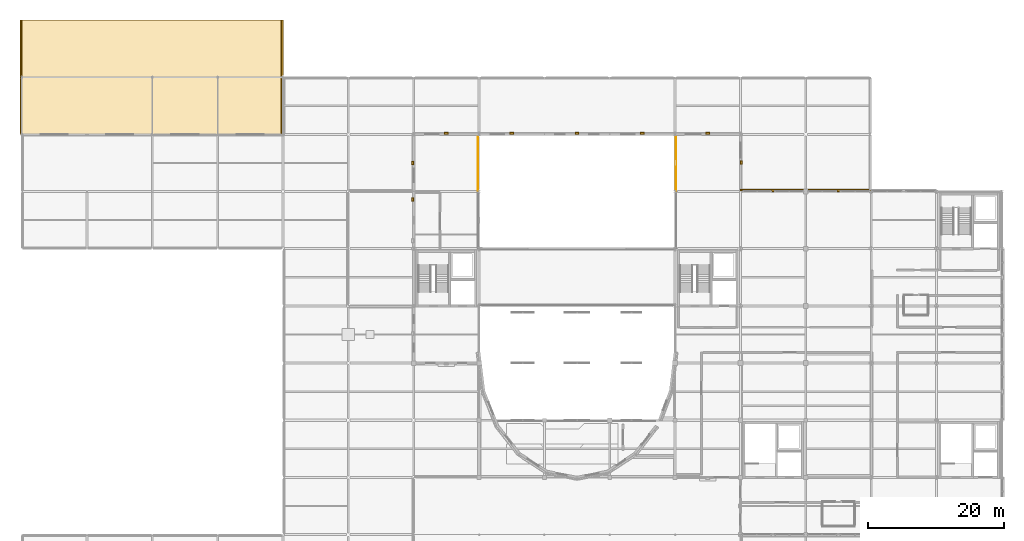
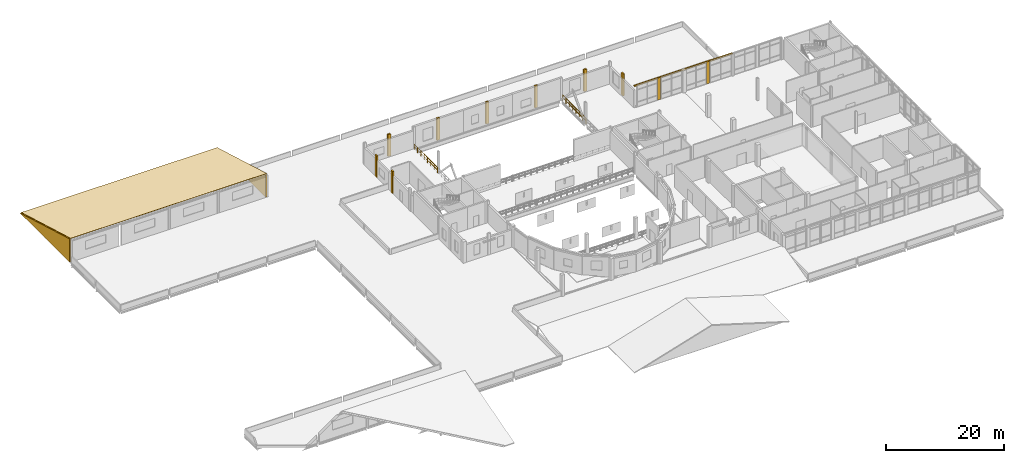
# One storey, part 51 of 52: 15 coverings, 2 railings.
"""IFC4 building model written with IfcOpenShell, lengths in metres."""

import ifcopenshell
import ifcopenshell.guid

model = None  # the IFC model being written
_history = None  # IfcOwnerHistory: only IFC2X3 demands one
_inside = {}  # id of a spatial element -> (the spatial element, [elements in it])
_under = {}  # id of a project, library or spatial element -> (it, [spatial elements below it])
_declared = {}  # id of a project -> (the project, [libraries it declares])
_typed = {}  # id of a type object -> (the type object, [elements of that type])
_made_of = {}  # id of a material, layer set ... -> (it, [elements and type objects made of it])


def new_model(schema):
    """Start an empty IFC model of exactly this schema.

    Asked for "IFC4X3", IfcOpenShell would pick the latest addendum, in which some entities
    have other attributes; the version numbers below select the first issue.
    IFC2X3 requires an IfcOwnerHistory on every rooted entity: one is made here for all.
    """
    global model, _history
    if schema == "IFC4X3":
        model = ifcopenshell.file(schema_version=(4, 3, 0, 0))
    else:
        model = ifcopenshell.file(schema=schema)
    _inside.clear()
    _under.clear()
    _declared.clear()
    _typed.clear()
    _made_of.clear()
    _history = None
    if model.schema == "IFC2X3":
        org = make("IfcOrganization", Name="unknown")
        user = make(
            "IfcPersonAndOrganization",
            ThePerson=make("IfcPerson", FamilyName="unknown"),
            TheOrganization=org,
        )
        app = make(
            "IfcApplication",
            ApplicationDeveloper=org,
            Version="unknown",
            ApplicationFullName="unknown",
            ApplicationIdentifier="unknown",
        )
        _history = make(
            "IfcOwnerHistory",
            OwningUser=user,
            OwningApplication=app,
            ChangeAction="ADDED",
            CreationDate=0,
        )
    return model


def make(cls, **values):
    """One entity of the class cls with the attributes given. An attribute that is None is left unset."""
    return model.create_entity(
        cls, **{name: value for name, value in values.items() if value is not None}
    )


def rooted(cls, **values):
    """An entity with a GlobalId (a new one), such as an element, a storey or a relation."""
    return make(cls, GlobalId=ifcopenshell.guid.new(), OwnerHistory=_history, **values)


def si_unit(unit_type, name, prefix=None):
    """IfcSIUnit, for example si_unit("LENGTHUNIT", "METRE", prefix="MILLI")."""
    return make("IfcSIUnit", UnitType=unit_type, Prefix=prefix, Name=name)


def assignment(units):
    """IfcUnitAssignment: the units of a project."""
    return None if units is None else make("IfcUnitAssignment", Units=units)


def point(xyz):
    """IfcCartesianPoint."""
    return None if xyz is None else make("IfcCartesianPoint", Coordinates=xyz)


def direction(xyz):
    """IfcDirection."""
    return None if xyz is None else make("IfcDirection", DirectionRatios=xyz)


def frame(location, z_axis=None, x_axis=None):
    """IfcAxis2Placement3D, a coordinate frame: its origin and axes. An axis left out is left unset."""
    return make(
        "IfcAxis2Placement3D",
        Location=point(location),
        Axis=direction(z_axis),
        RefDirection=direction(x_axis),
    )


def frame_2d(location, x_axis=None):
    """IfcAxis2Placement2D, a coordinate frame in the plane: its origin and x axis."""
    return make(
        "IfcAxis2Placement2D", Location=point(location), RefDirection=direction(x_axis)
    )


def origin():
    """The frame at (0, 0, 0) with its axes left unset."""
    return frame((0.0, 0.0, 0.0))


def origin_2d():
    """The frame at (0, 0) in the plane with its x axis left unset."""
    return frame_2d((0.0, 0.0))


def place(relative_to, where):
    """IfcLocalPlacement: puts the frame where relative to a parent placement (None: the world)."""
    return make(
        "IfcLocalPlacement", PlacementRelTo=relative_to, RelativePlacement=where
    )


def context(
    kind, dimensions, precision=None, world=None, true_north=None, identifier=None
):
    """IfcGeometricRepresentationContext, for example the 3D "Model" context."""
    return make(
        "IfcGeometricRepresentationContext",
        ContextIdentifier=identifier,
        ContextType=kind,
        CoordinateSpaceDimension=dimensions,
        Precision=precision,
        WorldCoordinateSystem=world,
        TrueNorth=true_north,
    )


def subcontext(parent, identifier, kind, view, scale=None):
    """IfcGeometricRepresentationSubContext, for example "Body" below "Model"."""
    return make(
        "IfcGeometricRepresentationSubContext",
        ContextIdentifier=identifier,
        ContextType=kind,
        ParentContext=parent,
        TargetScale=scale,
        TargetView=view,
    )


def project(units=None, contexts=None):
    """IfcProject with its units and contexts."""
    return rooted(
        "IfcProject",
        Name="project",
        RepresentationContexts=contexts,
        UnitsInContext=assignment(units),
    )


def spatial(cls, under=None, at=None, **own):
    """A site, building, storey or space (cls), placed at a placement, below another one or the project."""
    s = rooted(cls, ObjectPlacement=at, **own)
    if under is not None:
        _under.setdefault(under.id(), (under, []))[1].append(s)
    return s


def polyline(points):
    """IfcPolyline through the points."""
    return make("IfcPolyline", Points=[point(p) for p in points])


def profile(cls, at=None, kind="AREA", **sizes):
    """A parametric profile (cls). Its sizes go by their IFC names, for example OverallWidth=200.0."""
    return make(cls, ProfileType=kind, Position=at, **sizes)


def circle(**sizes):
    """IfcCircleProfileDef."""
    return profile("IfcCircleProfileDef", **sizes)


def outline(outer, holes=None, kind="AREA"):
    """IfcArbitraryClosedProfileDef: a profile drawn as a closed curve; with holes, ...WithVoids."""
    if holes is None:
        return make("IfcArbitraryClosedProfileDef", ProfileType=kind, OuterCurve=outer)
    return make(
        "IfcArbitraryProfileDefWithVoids",
        ProfileType=kind,
        OuterCurve=outer,
        InnerCurves=holes,
    )


def extrude(swept, where, along, depth):
    """IfcExtrudedAreaSolid: the profile swept, set in the frame where, extruded along a direction by depth."""
    return make(
        "IfcExtrudedAreaSolid",
        SweptArea=swept,
        Position=where,
        ExtrudedDirection=direction(along),
        Depth=depth,
    )


def shape(context_of_items, identifier, shape_type, items):
    """IfcShapeRepresentation: the items that make up one representation, for example the "Body"."""
    return make(
        "IfcShapeRepresentation",
        ContextOfItems=context_of_items,
        RepresentationIdentifier=identifier,
        RepresentationType=shape_type,
        Items=items,
    )


def material(Name=None, Category=None):
    """IfcMaterial."""
    return make("IfcMaterial", Name=Name, Category=Category)


def layer(
    of_material, thickness, ventilated=None, Name=None, Category=None, Priority=None
):
    """IfcMaterialLayer: one layer of a wall or slab, of a material (None: an air gap)."""
    return make(
        "IfcMaterialLayer",
        Material=of_material,
        LayerThickness=thickness,
        IsVentilated=ventilated,
        Name=Name,
        Category=Category,
        Priority=Priority,
    )


def layer_set(layers, Name=None):
    """IfcMaterialLayerSet."""
    return make("IfcMaterialLayerSet", MaterialLayers=layers, LayerSetName=Name)


def made_of(thing, what):
    """Note that an element or type object is made of a material, layer set ...; save() writes the relation."""
    if what is not None:
        _made_of.setdefault(what.id(), (what, []))[1].append(thing)
    return thing


def type_object(cls, material=None, **own):
    """A type object (cls), such as IfcWallType, which elements share."""
    return made_of(rooted(cls, **own), material)


def element(
    cls,
    number,
    at=None,
    inside=None,
    cuts=None,
    type_object=None,
    material=None,
    context=None,
    identifier="Body",
    shape_type=None,
    held_by="IfcProductDefinitionShape",
    body=None,
    shapes=None,
    **own,
):
    """One element of the class cls, such as IfcWall. Its Tag is "e" and its number.

    at: its placement. inside: the storey or other place that contains it. cuts: it is an
    opening in that element (IfcRelVoidsElement). A single representation is given by context,
    identifier, shape_type and body (its items); several are given by shapes. held_by: the class
    of the entity that holds the representations. save() writes the other relations.
    """
    e = rooted(cls, Tag="e%d" % number, ObjectPlacement=at, **own)
    if body is not None:
        shapes = [shape(context, identifier, shape_type, body)]
    if shapes is not None:
        e.Representation = make(held_by, Representations=shapes)
    if inside is not None:
        _inside.setdefault(inside.id(), (inside, []))[1].append(e)
    if cuts is not None:
        rooted(
            "IfcRelVoidsElement", RelatingBuildingElement=cuts, RelatedOpeningElement=e
        )
    if type_object is not None:
        _typed.setdefault(type_object.id(), (type_object, []))[1].append(e)
    return made_of(e, material)


def aggregate(whole, parts):
    """IfcRelAggregates: a whole, such as a stair, and the parts it consists of."""
    return rooted("IfcRelAggregates", RelatingObject=whole, RelatedObjects=parts)


def save(model, path):
    """Write the relations noted so far, then the file.

    IfcRelAggregates (storeys below a building ...), IfcRelContainedInSpatialStructure (elements
    in a storey), IfcRelDefinesByType, IfcRelAssociatesMaterial and IfcRelDeclares: one each for
    every whole, place, type object, material and project.
    """
    for whole, parts in _under.values():
        aggregate(whole, parts)
    for where, things in _inside.values():
        rooted(
            "IfcRelContainedInSpatialStructure",
            RelatedElements=things,
            RelatingStructure=where,
        )
    for kind, things in _typed.values():
        rooted("IfcRelDefinesByType", RelatedObjects=things, RelatingType=kind)
    for what, things in _made_of.values():
        rooted("IfcRelAssociatesMaterial", RelatedObjects=things, RelatingMaterial=what)
    for by, libraries in _declared.values():
        rooted("IfcRelDeclares", RelatingContext=by, RelatedDefinitions=libraries)
    model.write(path)


model = new_model("IFC4")

# Units and contexts
model_context = context("Model", 3, precision=1e-05, world=origin(), true_north=direction((0.0, 1.0)))
body_context = subcontext(model_context, "Body", "Model", "MODEL_VIEW")
ifc_project = project(units=[si_unit("LENGTHUNIT", "METRE"), si_unit("AREAUNIT", "SQUARE_METRE"), si_unit("VOLUMEUNIT", "CUBIC_METRE"), si_unit("PLANEANGLEUNIT", "RADIAN"), si_unit("MASSUNIT", "GRAM", prefix="KILO")], contexts=[model_context])

# Site, building, storey
site_placement = place(None, origin())
site = spatial("IfcSite", under=ifc_project, at=site_placement, CompositionType="ELEMENT")
building_placement = place(site_placement, origin())
building = spatial("IfcBuilding", under=site, at=building_placement, Name="Lornevale Opera House", CompositionType="ELEMENT")
storey_placement = place(building_placement, frame((0.0, 0.0, 15.0)))
storey = spatial("IfcBuildingStorey", under=building, at=storey_placement, Name="L04", CompositionType="ELEMENT", Elevation=15.0)

# Railings
ifc_material_1 = material(Name="Structural Steel CSA G40.21 Grade 350W (350 MPa)", Category="steel")
ifc_layer_1 = layer(ifc_material_1, 0.06005859375)
ifc_layer_set_1 = layer_set([ifc_layer_1], Name="Structural Steel CSA G40.21 Grade 350W (350 MPa)")
railing_type = type_object("IfcRailingType", Name="Atrium Acoustic Balustrade 1120", PredefinedType="BALUSTRADE", material=ifc_layer_set_1)
for number, where, name in (
    (1, (67.06005859375, 75.719970703125, 0.0), "Atrium & Bowl Balustrade L04 0372"),
    (2, (96.139892578125, 75.719970703125, 0.0), "Atrium & Bowl Balustrade L04 0383"),
):
    element("IfcRailing", number, at=place(storey_placement, frame(where)), inside=storey, type_object=railing_type, Name=name, PredefinedType="BALUSTRADE", context=body_context, shape_type="SweptSolid", body=[
        extrude(circle(Radius=0.02392578125, at=origin_2d()), frame((0.0, 0.0, 1.09619140625), z_axis=(0.0, 1.0, 0.0), x_axis=(-1.0, 0.0, 0.0)), (0.0, 0.0, 1.0), 7.900146484375),
        extrude(circle(Radius=0.02392578125, at=origin_2d()), frame((0.0, 0.0, 0.56005859375), z_axis=(0.0, 1.0, 0.0), x_axis=(-1.0, 0.0, 0.0)), (0.0, 0.0, 1.0), 7.900146484375),
        extrude(circle(Radius=0.02099609375, at=origin_2d()), origin(), (0.0, 0.0, 1.0), 1.072021484375),
        extrude(circle(Radius=0.02099609375, at=origin_2d()), frame((0.0, 1.128662109375, 0.0)), (0.0, 0.0, 1.0), 1.072021484375),
        extrude(circle(Radius=0.02099609375, at=origin_2d()), frame((0.0, 2.257080078125, 0.0)), (0.0, 0.0, 1.0), 1.072021484375),
        extrude(circle(Radius=0.02099609375, at=origin_2d()), frame((0.0, 3.3857421875, 0.0)), (0.0, 0.0, 1.0), 1.072021484375),
        extrude(circle(Radius=0.02099609375, at=origin_2d()), frame((0.0, 4.514404296875, 0.0)), (0.0, 0.0, 1.0), 1.072021484375),
        extrude(circle(Radius=0.02099609375, at=origin_2d()), frame((0.0, 5.64306640625, 0.0)), (0.0, 0.0, 1.0), 1.072021484375),
        extrude(circle(Radius=0.02099609375, at=origin_2d()), frame((0.0, 6.771484375, 0.0)), (0.0, 0.0, 1.0), 1.072021484375),
        extrude(circle(Radius=0.02099609375, at=origin_2d()), frame((0.0, 7.900146484375, 0.0)), (0.0, 0.0, 1.0), 1.072021484375),
    ])

# Coverings
ifc_material_2 = material(Name="Precast Concrete 40 MPa (CSA A23.1 C-1)", Category="concrete")
ifc_layer_2 = layer(ifc_material_2, 0.260009765625)
ifc_layer_set_2 = layer_set([ifc_layer_2], Name="Precast Concrete 40 MPa (CSA A23.1 C-1)")
covering_type_1 = type_object("IfcCoveringType", Name="Postmodern Sandstone Pilaster Rib", PredefinedType="CLADDING", material=ifc_layer_set_2)
covering_1_placement = place(storey_placement, origin())
element("IfcCovering", 3, at=covering_1_placement, inside=storey, type_object=covering_type_1, Name="Postmodern Sandstone Pilaster 0373", PredefinedType="CLADDING", context=body_context, shape_type="SweptSolid", body=[
    extrude(outline(polyline([(57.60009765625, 74.14208984375), (57.60009765625, 74.701904296875), (57.320068359375, 74.701904296875), (57.320068359375, 74.14208984375), (57.60009765625, 74.14208984375)])), origin(), (0.0, 0.0, 1.0), 4.56005859375),
])
covering_2_placement = place(storey_placement, origin())
element("IfcCovering", 4, at=covering_2_placement, inside=storey, type_object=covering_type_1, Name="Postmodern Sandstone Pilaster 0374", PredefinedType="CLADDING", context=body_context, shape_type="SweptSolid", body=[
    extrude(outline(polyline([(62.1201171875, 84.0), (62.679931640625, 84.0), (62.679931640625, 84.280029296875), (62.1201171875, 84.280029296875), (62.1201171875, 84.0)])), origin(), (0.0, 0.0, 1.0), 4.56005859375),
])
covering_3_placement = place(storey_placement, origin())
element("IfcCovering", 5, at=covering_3_placement, inside=storey, type_object=covering_type_1, Name="Postmodern Sandstone Pilaster 0375", PredefinedType="CLADDING", context=body_context, shape_type="SweptSolid", body=[
    extrude(outline(polyline([(57.60009765625, 79.512939453125), (57.60009765625, 80.072998046875), (57.320068359375, 80.072998046875), (57.320068359375, 79.512939453125), (57.60009765625, 79.512939453125)])), origin(), (0.0, 0.0, 1.0), 4.56005859375),
])
covering_4_placement = place(storey_placement, origin())
element("IfcCovering", 6, at=covering_4_placement, inside=storey, type_object=covering_type_1, Name="Postmodern Sandstone Pilaster 0376", PredefinedType="CLADDING", context=body_context, shape_type="SweptSolid", body=[
    extrude(outline(polyline([(71.72705078125, 84.0), (72.287109375, 84.0), (72.287109375, 84.280029296875), (71.72705078125, 84.280029296875), (71.72705078125, 84.0)])), origin(), (0.0, 0.0, 1.0), 4.56005859375),
])
covering_5_placement = place(storey_placement, origin())
element("IfcCovering", 7, at=covering_5_placement, inside=storey, type_object=covering_type_1, Name="Postmodern Sandstone Pilaster 0377", PredefinedType="CLADDING", context=body_context, shape_type="SweptSolid", body=[
    extrude(outline(polyline([(81.320068359375, 84.0), (81.8798828125, 84.0), (81.8798828125, 84.280029296875), (81.320068359375, 84.280029296875), (81.320068359375, 84.0)])), origin(), (0.0, 0.0, 1.0), 4.56005859375),
])
covering_6_placement = place(storey_placement, origin())
element("IfcCovering", 8, at=covering_6_placement, inside=storey, type_object=covering_type_1, Name="Postmodern Sandstone Pilaster 0378", PredefinedType="CLADDING", context=body_context, shape_type="SweptSolid", body=[
    extrude(outline(polyline([(90.912109375, 84.0), (91.471923828125, 84.0), (91.471923828125, 84.280029296875), (90.912109375, 84.280029296875), (90.912109375, 84.0)])), origin(), (0.0, 0.0, 1.0), 4.56005859375),
])
covering_7_placement = place(storey_placement, origin())
element("IfcCovering", 9, at=covering_7_placement, inside=storey, type_object=covering_type_1, Name="Postmodern Sandstone Pilaster 0380", PredefinedType="CLADDING", context=body_context, shape_type="SweptSolid", body=[
    extrude(outline(polyline([(100.52001953125, 84.0), (101.080078125, 84.0), (101.080078125, 84.280029296875), (100.52001953125, 84.280029296875), (100.52001953125, 84.0)])), origin(), (0.0, 0.0, 1.0), 4.56005859375),
])
covering_8_placement = place(storey_placement, origin())
element("IfcCovering", 10, at=covering_8_placement, inside=storey, type_object=covering_type_1, Name="Postmodern Sandstone Pilaster 0381", PredefinedType="CLADDING", context=body_context, shape_type="SweptSolid", body=[
    extrude(outline(polyline([(105.60009765625, 80.153076171875), (105.60009765625, 79.593017578125), (105.8798828125, 79.593017578125), (105.8798828125, 80.153076171875), (105.60009765625, 80.153076171875)])), origin(), (0.0, 0.0, 1.0), 4.56005859375),
])
covering_9_placement = place(storey_placement, origin())
element("IfcCovering", 11, at=covering_9_placement, inside=storey, type_object=covering_type_1, Name="Postmodern Sandstone Mullion Pier 0385", PredefinedType="CLADDING", context=body_context, shape_type="SweptSolid", body=[
    extrude(outline(polyline([(110.1201171875, 75.60009765625), (110.679931640625, 75.60009765625), (110.679931640625, 75.8798828125), (110.1201171875, 75.8798828125), (110.1201171875, 75.60009765625)])), origin(), (0.0, 0.0, 1.0), 4.56005859375),
])
covering_10_placement = place(storey_placement, origin())
element("IfcCovering", 12, at=covering_10_placement, inside=storey, type_object=covering_type_1, Name="Postmodern Sandstone Mullion Pier 0389", PredefinedType="CLADDING", context=body_context, shape_type="SweptSolid", body=[
    extrude(outline(polyline([(119.719970703125, 75.60009765625), (120.280029296875, 75.60009765625), (120.280029296875, 75.8798828125), (119.719970703125, 75.8798828125), (119.719970703125, 75.60009765625)])), origin(), (0.0, 0.0, 1.0), 4.56005859375),
])
ifc_material_3 = material(Name="Queenston Buff Limestone Ashlar Masonry (25 MPa)", Category="masonry")
ifc_layer_3 = layer(ifc_material_3, 0.1201171875)
ifc_layer_set_3 = layer_set([ifc_layer_3], Name="Queenston Buff Limestone Ashlar Masonry (25 MPa)")
covering_type_2 = type_object("IfcCoveringType", Name="Precast Limestone Cornice Band", PredefinedType="CLADDING", material=ifc_layer_set_3)
covering_11_placement = place(storey_placement, frame((0.0, 0.0, 4.300048828125)))
element("IfcCovering", 13, at=covering_11_placement, inside=storey, type_object=covering_type_2, Name="Precast Limestone Cornice Band 0386", PredefinedType="CLADDING", context=body_context, shape_type="SweptSolid", body=[
    extrude(outline(polyline([(105.60009765625, 75.679931640625), (115.199951171875, 75.679931640625), (115.199951171875, 75.919921875), (105.60009765625, 75.919921875), (105.60009765625, 75.679931640625)])), origin(), (0.0, 0.0, 1.0), 0.260009765625),
])
covering_12_placement = place(storey_placement, frame((0.0, 0.0, 4.300048828125)))
element("IfcCovering", 14, at=covering_12_placement, inside=storey, type_object=covering_type_2, Name="Precast Limestone Cornice Band 0390", PredefinedType="CLADDING", context=body_context, shape_type="SweptSolid", body=[
    extrude(outline(polyline([(115.199951171875, 75.679931640625), (124.800048828125, 75.679931640625), (124.800048828125, 75.919921875), (115.199951171875, 75.919921875), (115.199951171875, 75.679931640625)])), origin(), (0.0, 0.0, 1.0), 0.260009765625),
])
for number, where, z_axis, x_axis, name in (
    (15, (0.0, 84.0, 0.0), (1.0, 0.0, 0.0), (0.0, 1.0, 0.0), "Studio Monopitch Cheek Wall 0556"),
    (16, (38.39990234375, 84.0, 0.0), (1.0, 0.0, 0.0), (0.0, 1.0, 0.0), "Studio Monopitch Cheek Wall 0558"),
):
    element("IfcCovering", number, at=place(storey_placement, frame(where, z_axis=z_axis, x_axis=x_axis)), inside=storey, type_object=covering_type_2, Name=name, PredefinedType="CLADDING", context=body_context, shape_type="SweptSolid", body=[
        extrude(outline(polyline([(0.0, 0.0), (16.800048828125, 0.0), (0.0, 4.81689453125), (0.0, 0.0)])), origin(), (0.0, 0.0, -1.0), 0.239990234375),
    ])
ifc_material_4 = material(Name="Standing-Seam Satin Zinc Roofing", Category="metal")
ifc_layer_4 = layer(ifc_material_4, 0.044921875)
ifc_layer_set_4 = layer_set([ifc_layer_4], Name="Standing-Seam Satin Zinc Roofing")
covering_type_3 = type_object("IfcCoveringType", Name="Satin Zinc Studio Cladding", PredefinedType="ROOFING", material=ifc_layer_set_4)
covering_13_placement = place(storey_placement, frame((0.0, 84.0, 4.862060546875), z_axis=(0.0, 0.275626897426, 0.961264694772), x_axis=(1.0, 0.0, 0.0)))
element("IfcCovering", 17, at=covering_13_placement, inside=storey, type_object=covering_type_3, Name="Satin Zinc Studio Cladding 0554", PredefinedType="ROOFING", context=body_context, shape_type="SweptSolid", body=[
    extrude(outline(polyline([(0.0, 0.0), (38.39990234375, 0.0), (38.39990234375, 17.477026795523827), (0.0, 17.477026795523827), (0.0, 0.0)])), origin(), (0.0, 0.0, -1.0), 0.044921875),
])

save(model, "model.ifc")
